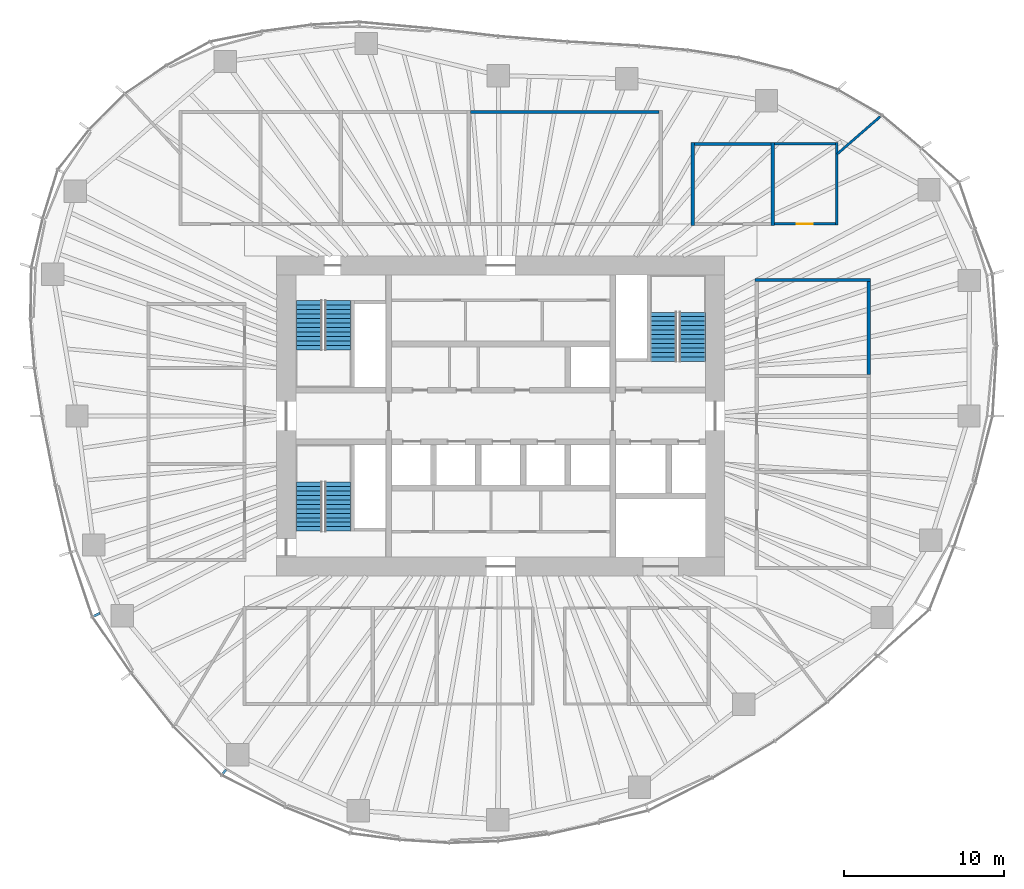
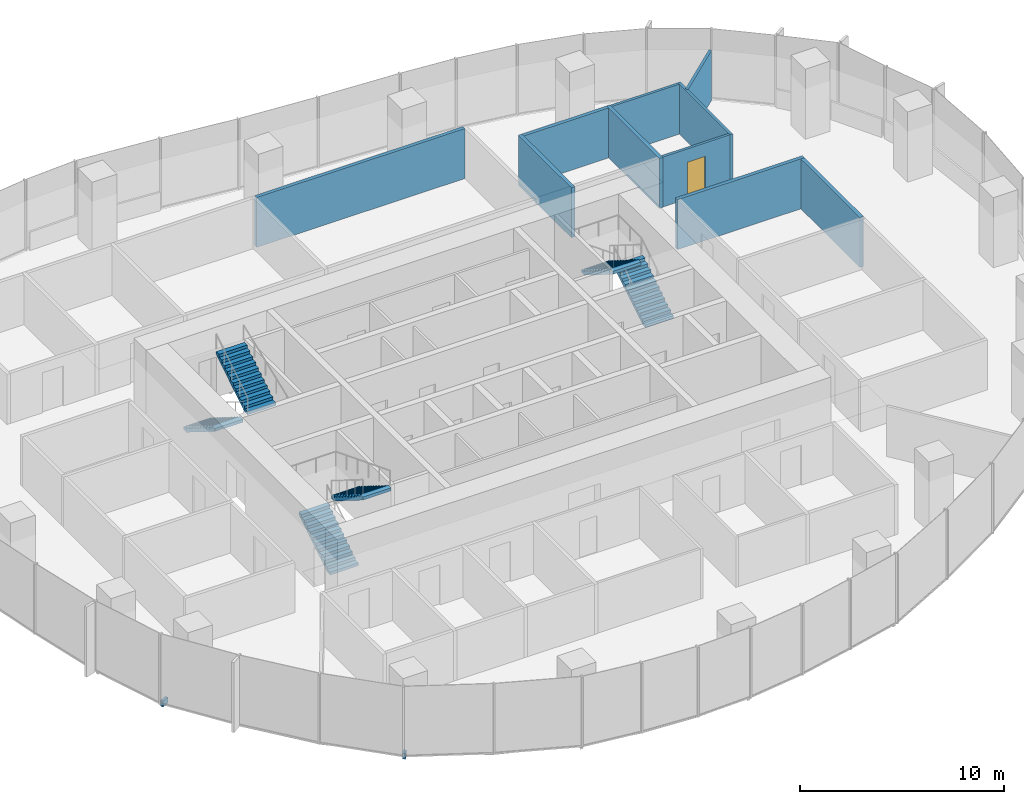
# One storey, part 11 of 18: 10 walls, 6 stair flights, 2 discrete accessories, 1 door, 1 opening, 3 elements without a shape of their own.
"""IFC4 building model written with IfcOpenShell, lengths in metres."""

from ifc_helpers import new_model, si_unit, direction, frame, frame_2d, origin, origin_2d, place, context, subcontext, project, spatial, polyline, rectangle, outline, extrude, material, layer, layer_set, type_object, element, fill, aggregate, save


model = new_model("IFC4")

# Units and contexts
model_context = context("Model", 3, precision=1e-05, world=origin(), true_north=direction((0.0, 1.0)))
body_context = subcontext(model_context, "Body", "Model", "MODEL_VIEW")
ifc_project = project(units=[si_unit("LENGTHUNIT", "METRE"), si_unit("AREAUNIT", "SQUARE_METRE"), si_unit("VOLUMEUNIT", "CUBIC_METRE"), si_unit("PLANEANGLEUNIT", "RADIAN"), si_unit("MASSUNIT", "GRAM", prefix="KILO")], contexts=[model_context])

# Site, building, storey
site_placement = place(None, origin())
site = spatial("IfcSite", under=ifc_project, at=site_placement, CompositionType="ELEMENT")
building_placement = place(site_placement, origin())
building = spatial("IfcBuilding", under=site, at=building_placement, Name="Ghaith Harvest Tower", CompositionType="ELEMENT")
storey_placement = place(building_placement, frame((0.0, 0.0, 176.39990234375)))
storey = spatial("IfcBuildingStorey", under=building, at=storey_placement, Name="L38", CompositionType="ELEMENT", Elevation=176.39990234375)

# Walls
ifc_material_1 = material(Name="Twin-stud gypsum board, acoustic", Category="gypsum")
ifc_layer_1 = layer(ifc_material_1, 0.199951171875)
ifc_layer_set_1 = layer_set([ifc_layer_1], Name="ACOUSTIC PARTITION 200")
wall_type_1 = type_object("IfcWallType", Name="ACOUSTIC PARTITION 200", PredefinedType="PARTITIONING", material=ifc_layer_set_1)
wall_1_placement = place(storey_placement, frame((-1.89990234375, 19.0, 0.0), z_axis=(0.0, 0.0, 1.0), x_axis=(1.0, 0.0, 0.0)))
element("IfcWall", 1, at=wall_1_placement, inside=storey, type_object=wall_type_1, Name="Partition L38-04", PredefinedType="PARTITIONING", context=body_context, shape_type="SweptSolid", body=[
    extrude(rectangle(XDim=11.7998046875, YDim=0.199951171875, at=frame_2d((5.89990234375, 0.0))), origin(), (0.0, 0.0, 1.0), 3.0),
])
wall_2_placement = place(storey_placement, frame((15.89990234375, 8.5, 0.0), z_axis=(0.0, 0.0, 1.0), x_axis=(1.0, 0.0, 0.0)))
element("IfcWall", 2, at=wall_2_placement, inside=storey, type_object=wall_type_1, Name="Partition L38 row E2 cross wall 4", PredefinedType="PARTITIONING", context=body_context, shape_type="SweptSolid", body=[
    extrude(rectangle(XDim=7.2001953125, YDim=0.199951171875, at=frame_2d((3.60009765625, 0.0))), origin(), (0.0, 0.0, 1.0), 3.0),
])
wall_3_placement = place(storey_placement, frame((23.0, 2.60009765625, 0.0), z_axis=(0.0, 0.0, 1.0), x_axis=(0.0, 1.0, 0.0)))
element("IfcWall", 3, at=wall_3_placement, inside=storey, type_object=wall_type_1, Name="Partition L38-07", PredefinedType="PARTITIONING", context=body_context, shape_type="SweptSolid", body=[
    extrude(rectangle(XDim=5.7998046875, YDim=0.199951171875, at=frame_2d((2.89990234375, 0.0))), origin(), (0.0, 0.0, 1.0), 3.0),
])
for number, where, z_axis, x_axis, name in (
    (4, (12.0, 11.89990234375, 0.0), (0.0, 0.0, 1.0), (0.0, 1.0, 0.0), "Partition L38 row N6 cross wall 1"),
    (5, (17.0, 11.89990234375, 0.0), (0.0, 0.0, 1.0), (0.0, 1.0, 0.0), "Partition L38 row N6 cross wall 2"),
):
    element("IfcWall", number, at=place(storey_placement, frame(where, z_axis=z_axis, x_axis=x_axis)), inside=storey, type_object=wall_type_1, Name=name, PredefinedType="PARTITIONING", context=body_context, shape_type="SweptSolid", body=[
        extrude(rectangle(XDim=5.2001953125, YDim=0.199951171875, at=frame_2d((2.60009765625, 0.0))), origin(), (0.0, 0.0, 1.0), 3.0),
    ])
wall_4_placement = place(storey_placement, frame((12.10009765625, 17.0, 0.0), z_axis=(0.0, 0.0, 1.0), x_axis=(1.0, 0.0, 0.0)))
element("IfcWall", 6, at=wall_4_placement, inside=storey, type_object=wall_type_1, Name="Partition L38-17", PredefinedType="PARTITIONING", context=body_context, shape_type="SweptSolid", body=[
    extrude(rectangle(XDim=4.7998046875, YDim=0.199951171875, at=frame_2d((2.39990234375, 0.0))), origin(), (0.0, 0.0, 1.0), 3.0),
])
ifc_material_2 = material(Name="Gypsum board on steel studs", Category="steel")
ifc_layer_2 = layer(ifc_material_2, 0.14990234375)
ifc_layer_set_2 = layer_set([ifc_layer_2], Name="PARTITION 150")
wall_type_2 = type_object("IfcWallType", Name="PARTITION 150", PredefinedType="PARTITIONING", material=ifc_layer_set_2)
wall_5_placement = place(storey_placement, frame((21.0, 11.925048828125, 0.0), z_axis=(0.0, 0.0, 1.0), x_axis=(0.0, 1.0, 0.0)))
element("IfcWall", 7, at=wall_5_placement, inside=storey, type_object=wall_type_2, Name="Partition L38 row N6 cross wall 3", PredefinedType="PARTITIONING", context=body_context, shape_type="SweptSolid", body=[
    extrude(rectangle(XDim=5.14990234375, YDim=0.14990234375, at=frame_2d((2.574951171875, 0.0))), origin(), (0.0, 0.0, 1.0), 3.0),
])

# Wall, opening, door
wall_6_placement = place(storey_placement, frame((17.10009765625, 12.0, 0.0), z_axis=(0.0, 0.0, 1.0), x_axis=(1.0, 0.0, 0.0)))
wall_6 = element("IfcWall", 8, at=wall_6_placement, inside=storey, type_object=wall_type_2, Name="Partition L38-18", PredefinedType="PARTITIONING", context=body_context, shape_type="SweptSolid", body=[
    extrude(rectangle(XDim=3.824951171875, YDim=0.14990234375, at=frame_2d((1.91259765625, 0.0))), origin(), (0.0, 0.0, 1.0), 3.0),
])
opening_placement = place(wall_6_placement, frame((1.41259765625, 0.0, 0.0)))
opening = element("IfcOpeningElement", 9, at=opening_placement, cuts=wall_6, Name="Opening 38-044", PredefinedType="OPENING", context=body_context, shape_type="SweptSolid", body=[
    extrude(rectangle(XDim=1.0, YDim=2.199951171875, at=frame_2d((0.5, 1.10009765625))), frame((0.0, 0.0849609375, 0.0), z_axis=(0.0, -1.0, 0.0), x_axis=(1.0, 0.0, 0.0)), (0.0, 0.0, 1.0), 0.169921875),
])
ifc_material_3 = material(Name="Timber door", Category="wood")
door_type = type_object("IfcDoorType", Name="D1 SINGLE 1000x2200", OperationType="SINGLE_SWING_LEFT", PredefinedType="DOOR", material=ifc_material_3)
door_placement = place(opening_placement, origin())
door = element("IfcDoor", 10, at=door_placement, inside=storey, type_object=door_type, Name="Store door", OperationType="SINGLE_SWING_LEFT", OverallHeight=2.199951171875, OverallWidth=1.0, PredefinedType="DOOR", context=body_context, shape_type="SweptSolid", body=[
    extrude(rectangle(XDim=1.0, YDim=2.199951171875, at=frame_2d((0.5, 1.10009765625))), frame((0.0, 0.02490234375, 0.0), z_axis=(0.0, -1.0, 0.0), x_axis=(1.0, 0.0, 0.0)), (0.0, 0.0, 1.0), 0.050048828125),
])
fill(opening, door)

# Walls
wall_7_placement = place(storey_placement, frame((17.10009765625, 17.0, 0.0), z_axis=(0.0, 0.0, 1.0), x_axis=(1.0, 0.0, 0.0)))
element("IfcWall", 11, at=wall_7_placement, inside=storey, type_object=wall_type_2, Name="Partition L38-18", PredefinedType="PARTITIONING", context=body_context, shape_type="SweptSolid", body=[
    extrude(rectangle(XDim=3.824951171875, YDim=0.14990234375, at=frame_2d((1.91259765625, 0.0))), origin(), (0.0, 0.0, 1.0), 3.0),
])
wall_8_placement = place(storey_placement, frame((21.02001953125, 16.364013671875, 0.0), z_axis=(0.0, 0.0, 1.0), x_axis=(0.75467183248, 0.656102450278, 0.0)))
element("IfcWall", 12, at=wall_8_placement, inside=storey, type_object=wall_type_2, Name="Partition L38 zone division", PredefinedType="PARTITIONING", context=body_context, shape_type="SweptSolid", body=[
    extrude(rectangle(XDim=3.566650390625, YDim=0.14990234375, at=frame_2d((1.783203125, 0.0))), origin(), (0.0, 0.0, 1.0), 3.0),
])

# Stair, stair flights
ifc_material_4 = material(Name="Concrete C40/50, precast", Category="concrete")
stair_type = type_object("IfcStairType", Name="CORE STAIR 24R", PredefinedType="HALF_TURN_STAIR", material=ifc_material_4)
stair_1_placement = place(storey_placement, origin())
stair_1 = element("IfcStair", 13, at=stair_1_placement, inside=storey, type_object=stair_type, Name="Stair ST1 L38", PredefinedType="HALF_TURN_STAIR")
ifc_material_5 = material(Name="Concrete C40/50, precast", Category="concrete")
stair_flight_type = type_object("IfcStairFlightType", Name="CORE FLIGHT 12R 1600", PredefinedType="STRAIGHT", material=ifc_material_5)
stair_flight_1_placement = place(storey_placement, frame((-12.0, 7.199951171875, 0.0), z_axis=(0.0, 0.0, 1.0), x_axis=(0.0, -1.0, 0.0)))
stair_flight_1 = element("IfcStairFlight", 14, at=stair_flight_1_placement, type_object=stair_flight_type, Name="ST1 flight 1", NumberOfRisers=12, NumberOfTreads=11, PredefinedType="STRAIGHT", RiserHeight=0.175, TreadLength=0.28, context=body_context, shape_type="SweptSolid", body=[
    extrude(outline(polyline([(0.0, 0.0), (0.0, 0.175048828125), (0.280029296875, 0.175048828125), (0.280029296875, 0.35009765625), (0.56005859375, 0.35009765625), (0.56005859375, 0.52490234375), (0.840087890625, 0.52490234375), (0.840087890625, 0.699951171875), (1.1201171875, 0.699951171875), (1.1201171875, 0.875), (1.39990234375, 0.875), (1.39990234375, 1.050048828125), (1.679931640625, 1.050048828125), (1.679931640625, 1.22509765625), (1.9599609375, 1.22509765625), (1.9599609375, 1.39990234375), (2.239990234375, 1.39990234375), (2.239990234375, 1.574951171875), (2.52001953125, 1.574951171875), (2.52001953125, 1.75), (2.800048828125, 1.75), (2.800048828125, 1.925048828125), (3.080078125, 1.925048828125), (3.080078125, 2.10009765625), (3.080078125, 1.748291015625), (0.28271484375, 0.0), (0.0, 0.0)])), frame((0.0, 0.800048828125, 0.0), z_axis=(0.0, -1.0, 0.0), x_axis=(1.0, 0.0, 0.0)), (0.0, 0.0, 1.0), 1.60009765625),
])
stair_flight_2_placement = place(storey_placement, frame((-10.14990234375, 4.1201171875, 2.10009765625), z_axis=(0.0, 0.0, 1.0), x_axis=(0.0, 1.0, 0.0)))
stair_flight_2 = element("IfcStairFlight", 15, at=stair_flight_2_placement, type_object=stair_flight_type, Name="ST1 flight 2", NumberOfRisers=12, NumberOfTreads=11, PredefinedType="STRAIGHT", RiserHeight=0.175, TreadLength=0.28, context=body_context, shape_type="SweptSolid", body=[
    extrude(outline(polyline([(0.0, 0.0), (0.0, 0.175048828125), (0.280029296875, 0.175048828125), (0.280029296875, 0.35009765625), (0.56005859375, 0.35009765625), (0.56005859375, 0.52490234375), (0.840087890625, 0.52490234375), (0.840087890625, 0.699951171875), (1.1201171875, 0.699951171875), (1.1201171875, 0.875), (1.39990234375, 0.875), (1.39990234375, 1.050048828125), (1.679931640625, 1.050048828125), (1.679931640625, 1.22509765625), (1.9599609375, 1.22509765625), (1.9599609375, 1.39990234375), (2.239990234375, 1.39990234375), (2.239990234375, 1.574951171875), (2.52001953125, 1.574951171875), (2.52001953125, 1.75), (2.800048828125, 1.75), (2.800048828125, 1.925048828125), (3.080078125, 1.925048828125), (3.080078125, 2.10009765625), (3.080078125, 1.748291015625), (0.28271484375, 0.0), (0.0, 0.0)])), frame((0.0, 0.800048828125, 0.0), z_axis=(0.0, -1.0, 0.0), x_axis=(1.0, 0.0, 0.0)), (0.0, 0.0, 1.0), 1.60009765625),
])
aggregate(stair_1, [stair_flight_1, stair_flight_2])

stair_2_placement = place(storey_placement, origin())
stair_2 = element("IfcStair", 16, at=stair_2_placement, inside=storey, type_object=stair_type, Name="Stair ST3 L38", PredefinedType="HALF_TURN_STAIR")
stair_flight_3_placement = place(storey_placement, frame((-12.0, -7.199951171875, 0.0), z_axis=(0.0, 0.0, 1.0), x_axis=(0.0, 1.0, 0.0)))
stair_flight_3 = element("IfcStairFlight", 17, at=stair_flight_3_placement, type_object=stair_flight_type, Name="ST3 flight 1", NumberOfRisers=12, NumberOfTreads=11, PredefinedType="STRAIGHT", RiserHeight=0.175, TreadLength=0.28, context=body_context, shape_type="SweptSolid", body=[
    extrude(outline(polyline([(0.0, 0.0), (0.0, 0.175048828125), (0.280029296875, 0.175048828125), (0.280029296875, 0.35009765625), (0.56005859375, 0.35009765625), (0.56005859375, 0.52490234375), (0.840087890625, 0.52490234375), (0.840087890625, 0.699951171875), (1.1201171875, 0.699951171875), (1.1201171875, 0.875), (1.39990234375, 0.875), (1.39990234375, 1.050048828125), (1.679931640625, 1.050048828125), (1.679931640625, 1.22509765625), (1.9599609375, 1.22509765625), (1.9599609375, 1.39990234375), (2.239990234375, 1.39990234375), (2.239990234375, 1.574951171875), (2.52001953125, 1.574951171875), (2.52001953125, 1.75), (2.800048828125, 1.75), (2.800048828125, 1.925048828125), (3.080078125, 1.925048828125), (3.080078125, 2.10009765625), (3.080078125, 1.748291015625), (0.28271484375, 0.0), (0.0, 0.0)])), frame((0.0, 0.800048828125, 0.0), z_axis=(0.0, -1.0, 0.0), x_axis=(1.0, 0.0, 0.0)), (0.0, 0.0, 1.0), 1.60009765625),
])
stair_flight_4_placement = place(storey_placement, frame((-10.14990234375, -4.1201171875, 2.10009765625), z_axis=(0.0, 0.0, 1.0), x_axis=(0.0, -1.0, 0.0)))
stair_flight_4 = element("IfcStairFlight", 18, at=stair_flight_4_placement, type_object=stair_flight_type, Name="ST3 flight 2", NumberOfRisers=12, NumberOfTreads=11, PredefinedType="STRAIGHT", RiserHeight=0.175, TreadLength=0.28, context=body_context, shape_type="SweptSolid", body=[
    extrude(outline(polyline([(0.0, 0.0), (0.0, 0.175048828125), (0.280029296875, 0.175048828125), (0.280029296875, 0.35009765625), (0.56005859375, 0.35009765625), (0.56005859375, 0.52490234375), (0.840087890625, 0.52490234375), (0.840087890625, 0.699951171875), (1.1201171875, 0.699951171875), (1.1201171875, 0.875), (1.39990234375, 0.875), (1.39990234375, 1.050048828125), (1.679931640625, 1.050048828125), (1.679931640625, 1.22509765625), (1.9599609375, 1.22509765625), (1.9599609375, 1.39990234375), (2.239990234375, 1.39990234375), (2.239990234375, 1.574951171875), (2.52001953125, 1.574951171875), (2.52001953125, 1.75), (2.800048828125, 1.75), (2.800048828125, 1.925048828125), (3.080078125, 1.925048828125), (3.080078125, 2.10009765625), (3.080078125, 1.748291015625), (0.28271484375, 0.0), (0.0, 0.0)])), frame((0.0, 0.800048828125, 0.0), z_axis=(0.0, -1.0, 0.0), x_axis=(1.0, 0.0, 0.0)), (0.0, 0.0, 1.0), 1.60009765625),
])
aggregate(stair_2, [stair_flight_3, stair_flight_4])

stair_3_placement = place(storey_placement, origin())
stair_3 = element("IfcStair", 19, at=stair_3_placement, inside=storey, type_object=stair_type, Name="Stair ST2 L38", PredefinedType="HALF_TURN_STAIR")
stair_flight_5_placement = place(storey_placement, frame((12.0, 3.39990234375, 0.0), z_axis=(0.0, 0.0, 1.0), x_axis=(0.0, 1.0, 0.0)))
stair_flight_5 = element("IfcStairFlight", 20, at=stair_flight_5_placement, type_object=stair_flight_type, Name="ST2 flight 1", NumberOfRisers=12, NumberOfTreads=11, PredefinedType="STRAIGHT", RiserHeight=0.175, TreadLength=0.28, context=body_context, shape_type="SweptSolid", body=[
    extrude(outline(polyline([(0.0, 0.0), (0.0, 0.175048828125), (0.280029296875, 0.175048828125), (0.280029296875, 0.35009765625), (0.56005859375, 0.35009765625), (0.56005859375, 0.52490234375), (0.840087890625, 0.52490234375), (0.840087890625, 0.699951171875), (1.1201171875, 0.699951171875), (1.1201171875, 0.875), (1.39990234375, 0.875), (1.39990234375, 1.050048828125), (1.679931640625, 1.050048828125), (1.679931640625, 1.22509765625), (1.9599609375, 1.22509765625), (1.9599609375, 1.39990234375), (2.239990234375, 1.39990234375), (2.239990234375, 1.574951171875), (2.52001953125, 1.574951171875), (2.52001953125, 1.75), (2.800048828125, 1.75), (2.800048828125, 1.925048828125), (3.080078125, 1.925048828125), (3.080078125, 2.10009765625), (3.080078125, 1.748291015625), (0.28271484375, 0.0), (0.0, 0.0)])), frame((0.0, 0.800048828125, 0.0), z_axis=(0.0, -1.0, 0.0), x_axis=(1.0, 0.0, 0.0)), (0.0, 0.0, 1.0), 1.60009765625),
])
stair_flight_6_placement = place(storey_placement, frame((10.14990234375, 6.47998046875, 2.10009765625), z_axis=(0.0, 0.0, 1.0), x_axis=(0.0, -1.0, 0.0)))
stair_flight_6 = element("IfcStairFlight", 21, at=stair_flight_6_placement, type_object=stair_flight_type, Name="ST2 flight 2", NumberOfRisers=12, NumberOfTreads=11, PredefinedType="STRAIGHT", RiserHeight=0.175, TreadLength=0.28, context=body_context, shape_type="SweptSolid", body=[
    extrude(outline(polyline([(0.0, 0.0), (0.0, 0.175048828125), (0.280029296875, 0.175048828125), (0.280029296875, 0.35009765625), (0.56005859375, 0.35009765625), (0.56005859375, 0.52490234375), (0.840087890625, 0.52490234375), (0.840087890625, 0.699951171875), (1.1201171875, 0.699951171875), (1.1201171875, 0.875), (1.39990234375, 0.875), (1.39990234375, 1.050048828125), (1.679931640625, 1.050048828125), (1.679931640625, 1.22509765625), (1.9599609375, 1.22509765625), (1.9599609375, 1.39990234375), (2.239990234375, 1.39990234375), (2.239990234375, 1.574951171875), (2.52001953125, 1.574951171875), (2.52001953125, 1.75), (2.800048828125, 1.75), (2.800048828125, 1.925048828125), (3.080078125, 1.925048828125), (3.080078125, 2.10009765625), (3.080078125, 1.748291015625), (0.28271484375, 0.0), (0.0, 0.0)])), frame((0.0, 0.800048828125, 0.0), z_axis=(0.0, -1.0, 0.0), x_axis=(1.0, 0.0, 0.0)), (0.0, 0.0, 1.0), 1.60009765625),
])
aggregate(stair_3, [stair_flight_5, stair_flight_6])

# Discrete accessories
ifc_material_6 = material(Name="Stainless steel grade 1.4401", Category="steel")
discrete_accessory_type_1 = type_object("IfcDiscreteAccessoryType", Name="CURTAIN WALL BRACKET 315", PredefinedType="BRACKET", material=ifc_material_6)
discrete_accessory_1_placement = place(storey_placement, frame((-17.266357421875, -22.232421875, -0.25), z_axis=(0.0, 0.0, 1.0), x_axis=(-0.613377713774, -0.789789706343, 0.0)))
element("IfcDiscreteAccessory", 22, at=discrete_accessory_1_placement, inside=storey, type_object=discrete_accessory_type_1, Name="CW-L bracket 1 bay 14 L38", PredefinedType="BRACKET", context=body_context, shape_type="SweptSolid", body=[
    extrude(rectangle(XDim=0.31494140625, YDim=0.14990234375, at=origin_2d()), origin(), (0.0, 0.0, 1.0), 0.35009765625),
])
ifc_material_7 = material(Name="Stainless steel grade 1.4401", Category="steel")
discrete_accessory_type_2 = type_object("IfcDiscreteAccessoryType", Name="CURTAIN WALL BRACKET 415", PredefinedType="BRACKET", material=ifc_material_7)
discrete_accessory_2_placement = place(storey_placement, frame((-25.228515625, -12.41796875, -0.25), z_axis=(0.0, 0.0, 1.0), x_axis=(-0.897201221415, -0.441621974421, 0.0)))
element("IfcDiscreteAccessory", 23, at=discrete_accessory_2_placement, inside=storey, type_object=discrete_accessory_type_2, Name="CW-L bracket 2 bay 12 L38", PredefinedType="BRACKET", context=body_context, shape_type="SweptSolid", body=[
    extrude(rectangle(XDim=0.4150390625, YDim=0.14990234375, at=origin_2d()), origin(), (0.0, 0.0, 1.0), 0.35009765625),
])

save(model, "model.ifc")
